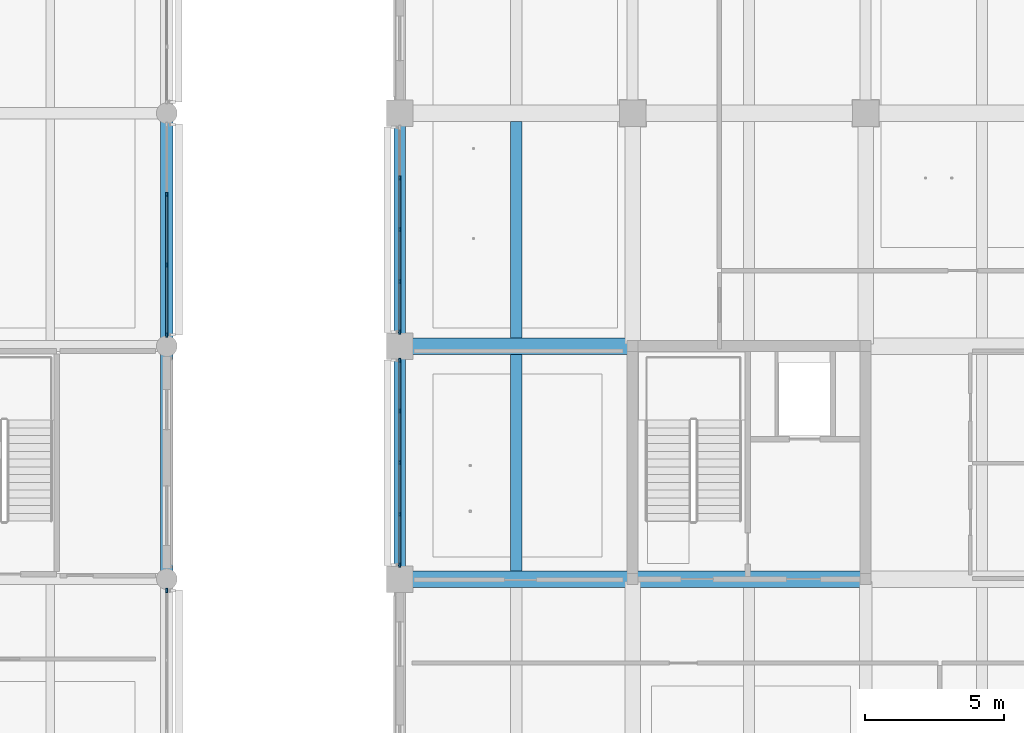
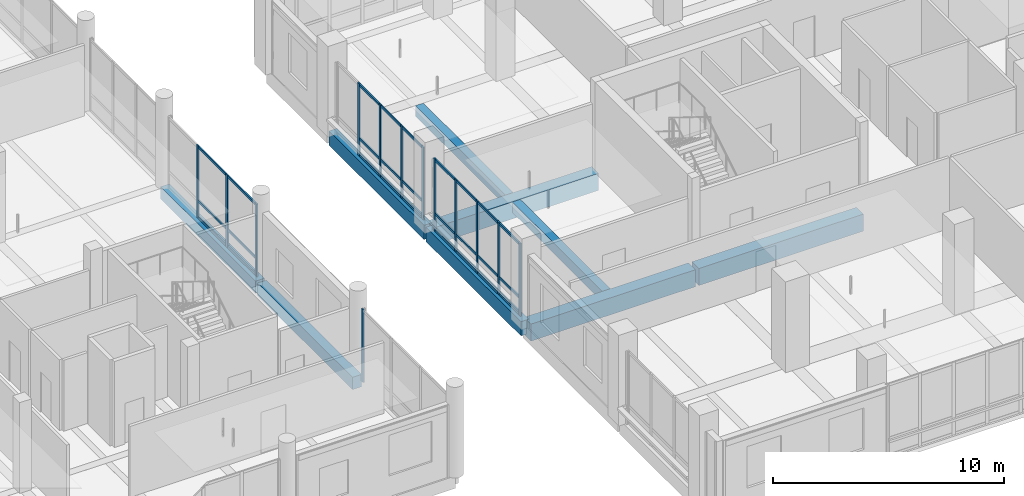
# One storey, part 8 of 122: 40 members, 9 beams, 4 elements without a shape of their own.
"""IFC4 building model written with IfcOpenShell, lengths in metres."""

from ifc_helpers import new_model, si_unit, direction, frame, origin, origin_2d, place, context, subcontext, project, spatial, rectangle, extrude, material, layer, layer_set, material_profile, profile_set, type_object, element, aggregate, save


model = new_model("IFC4")

# Units and contexts
model_context = context("Model", 3, precision=1e-05, world=origin(), true_north=direction((0.0, 1.0)))
body_context = subcontext(model_context, "Body", "Model", "MODEL_VIEW")
ifc_project = project(units=[si_unit("LENGTHUNIT", "METRE"), si_unit("AREAUNIT", "SQUARE_METRE"), si_unit("VOLUMEUNIT", "CUBIC_METRE"), si_unit("PLANEANGLEUNIT", "RADIAN"), si_unit("MASSUNIT", "GRAM", prefix="KILO")], contexts=[model_context])

# Site, building, storey
site_placement = place(None, origin())
site = spatial("IfcSite", under=ifc_project, at=site_placement, CompositionType="ELEMENT")
building_placement = place(site_placement, origin())
building = spatial("IfcBuilding", under=site, at=building_placement, Name="Telukmera Botanical Conservatory", CompositionType="ELEMENT")
storey_placement = place(building_placement, frame((0.0, 0.0, 10.199951171875)))
storey = spatial("IfcBuildingStorey", under=building, at=storey_placement, Name="L02", CompositionType="ELEMENT", Elevation=10.199951171875)

# Beams
ifc_material_1 = material(Name="Concrete C40/50", Category="concrete")
ifc_material_profile_1 = material_profile(ifc_material_1, rectangle(XDim=0.449951171875, YDim=0.64990234375, at=origin_2d()), Name="RC 450x650")
ifc_profile_set_1 = profile_set([ifc_material_profile_1], Name="Concrete C40/50")
beam_type_1 = type_object("IfcBeamType", Name="Beam_B16", PredefinedType="BEAM", material=ifc_profile_set_1)
for number, where, z_axis, x_axis, name in (
    (1, (42.0, 26.080078125, -0.324951171875), (0.0, 1.0, 0.0), (-1.0, 0.0, 0.0), "Visitor Wing Transverse Beam L02"),
    (2, (42.0, 34.47998046875, -0.324951171875), (0.0, 1.0, 0.0), (-1.0, 0.0, 0.0), "Visitor Wing Transverse Beam L02"),
):
    element("IfcBeam", number, at=place(storey_placement, frame(where, z_axis=z_axis, x_axis=x_axis)), inside=storey, type_object=beam_type_1, Name=name, PredefinedType="BEAM", context=body_context, shape_type="SweptSolid", body=[
        extrude(rectangle(XDim=0.449951171875, YDim=0.64990234375, at=origin_2d()), origin(), (0.0, 0.0, 1.0), 8.239990234375),
    ])
ifc_material_profile_2 = material_profile(ifc_material_1, rectangle(XDim=0.39990234375, YDim=0.550048828125, at=origin_2d()), Name="RC 400x550")
ifc_profile_set_2 = profile_set([ifc_material_profile_2], Name="Concrete C40/50")
beam_type_2 = type_object("IfcBeamType", Name="Beam_B19", PredefinedType="JOIST", material=ifc_profile_set_2)
for number, where, z_axis, x_axis, name in (
    (3, (54.60009765625, 26.300048828125, -0.27490234375), (0.0, 1.0, 0.0), (-1.0, 0.0, 0.0), "Tower Secondary Floor Joist L02"),
    (4, (54.60009765625, 34.699951171875, -0.27490234375), (0.0, 1.0, 0.0), (-1.0, 0.0, 0.0), "Tower Secondary Floor Joist L02"),
):
    element("IfcBeam", number, at=place(storey_placement, frame(where, z_axis=z_axis, x_axis=x_axis)), inside=storey, type_object=beam_type_2, Name=name, PredefinedType="JOIST", context=body_context, shape_type="SweptSolid", body=[
        extrude(rectangle(XDim=0.39990234375, YDim=0.550048828125, at=origin_2d()), origin(), (0.0, 0.0, 1.0), 7.800048828125),
    ])
ifc_material_profile_3 = material_profile(ifc_material_1, rectangle(XDim=0.60009765625, YDim=0.89990234375, at=origin_2d()), Name="RC 600x900")
ifc_profile_set_3 = profile_set([ifc_material_profile_3], Name="Concrete C40/50")
beam_type_3 = type_object("IfcBeamType", Name="Beam_B3", PredefinedType="BEAM", material=ifc_profile_set_3)
beam_1_placement = place(storey_placement, frame((50.47998046875, 26.0, -0.449951171875), z_axis=(1.0, 0.0, 0.0), x_axis=(0.0, 1.0, 0.0)))
element("IfcBeam", 5, at=beam_1_placement, inside=storey, type_object=beam_type_3, Name="Tower Grid Beam L02", PredefinedType="BEAM", context=body_context, shape_type="SweptSolid", body=[
    extrude(rectangle(XDim=0.60009765625, YDim=0.89990234375, at=origin_2d()), origin(), (0.0, 0.0, 1.0), 8.239990234375),
])
beam_2_placement = place(storey_placement, frame((58.8798828125, 26.0, -0.449951171875), z_axis=(1.0, 0.0, 0.0), x_axis=(0.0, 1.0, 0.0)))
element("IfcBeam", 6, at=beam_2_placement, inside=storey, type_object=beam_type_3, Name="Tower Grid Beam L02", PredefinedType="BEAM", context=body_context, shape_type="SweptSolid", body=[
    extrude(rectangle(XDim=0.60009765625, YDim=0.89990234375, at=origin_2d()), origin(), (0.0, 0.0, 1.0), 8.240234375),
])
beam_3_placement = place(storey_placement, frame((50.47998046875, 34.39990234375, -0.449951171875), z_axis=(1.0, 0.0, 0.0), x_axis=(0.0, 1.0, 0.0)))
element("IfcBeam", 7, at=beam_3_placement, inside=storey, type_object=beam_type_3, Name="Tower Grid Beam L02", PredefinedType="BEAM", context=body_context, shape_type="SweptSolid", body=[
    extrude(rectangle(XDim=0.60009765625, YDim=0.89990234375, at=origin_2d()), origin(), (0.0, 0.0, 1.0), 8.239990234375),
])
ifc_material_2 = material(Name="Precast concrete C40/50", Category="concrete")
ifc_material_profile_4 = material_profile(ifc_material_2, rectangle(XDim=0.39990234375, YDim=0.75, at=origin_2d()), Name="PC 400x750")
ifc_profile_set_4 = profile_set([ifc_material_profile_4], Name="Precast concrete C40/50")
beam_type_4 = type_object("IfcBeamType", Name="Beam_SP1", PredefinedType="SPANDREL", material=ifc_profile_set_4)
for number, where, z_axis, x_axis, name in (
    (8, (50.39990234375, 26.080078125, -0.375), (0.0, 1.0, 0.0), (-1.0, 0.0, 0.0), "Tower Transverse Beam L02"),
    (9, (50.39990234375, 34.47998046875, -0.375), (0.0, 1.0, 0.0), (-1.0, 0.0, 0.0), "Tower Transverse Beam L02"),
):
    element("IfcBeam", number, at=place(storey_placement, frame(where, z_axis=z_axis, x_axis=x_axis)), inside=storey, type_object=beam_type_4, Name=name, PredefinedType="SPANDREL", context=body_context, shape_type="SweptSolid", body=[
        extrude(rectangle(XDim=0.39990234375, YDim=0.75, at=origin_2d()), origin(), (0.0, 0.0, 1.0), 8.239990234375),
    ])

# Curtain wall, member
ifc_material_3 = material(Name="Anodised aluminium 6063-T6", Category="aluminium")
ifc_layer_1 = layer(ifc_material_3, 0.179931640625)
ifc_layer_set_1 = layer_set([ifc_layer_1], Name="Anodised aluminium 6063-T6")
curtain_wall_type_1 = type_object("IfcCurtainWallType", Name="Visitor Gallery Second Floor Curtain Wall 2400 Mod", PredefinedType="USERDEFINED", material=ifc_layer_set_1)
curtain_wall_1_placement = place(storey_placement, origin())
curtain_wall_1 = element("IfcCurtainWall", 10, at=curtain_wall_1_placement, inside=storey, type_object=curtain_wall_type_1, Name="Unitised Curtain Wall CW09 V3:L02:E1", ObjectType="UNITISED CURTAIN WALL", PredefinedType="USERDEFINED")
ifc_material_profile_5 = material_profile(ifc_material_3, rectangle(XDim=0.06494140625, YDim=0.159912109375, at=origin_2d()), Name="ALU MULL 65x160")
ifc_profile_set_5 = profile_set([ifc_material_profile_5], Name="Anodised aluminium 6063-T6")
member_type_1 = type_object("IfcMemberType", Name="Curtain Wall Extruded Mullion 65x160", PredefinedType="MULLION", material=ifc_profile_set_5)
member_1_placement = place(storey_placement, frame((42.0, 25.590576171875, 0.0), z_axis=(0.0, 0.0, 1.0), x_axis=(-1.0, 0.0, 0.0)))
member_1 = element("IfcMember", 11, at=member_1_placement, type_object=member_type_1, Name="CW09 mullion 4", PredefinedType="MULLION", context=body_context, shape_type="SweptSolid", body=[
    extrude(rectangle(XDim=0.06494140625, YDim=0.159912109375, at=origin_2d()), origin(), (0.0, 0.0, 1.0), 3.85009765625),
])
aggregate(curtain_wall_1, [member_1])

# Curtain wall, members
curtain_wall_2_placement = place(storey_placement, origin())
curtain_wall_2 = element("IfcCurtainWall", 12, at=curtain_wall_2_placement, inside=storey, type_object=curtain_wall_type_1, Name="Unitised Curtain Wall CW09 V3:L02:E3", ObjectType="UNITISED CURTAIN WALL", PredefinedType="USERDEFINED")
member_2_placement = place(storey_placement, frame((42.0, 34.8095703125, 0.0), z_axis=(0.0, 0.0, 1.0), x_axis=(-1.0, 0.0, 0.0)))
member_2 = element("IfcMember", 13, at=member_2_placement, type_object=member_type_1, Name="CW09 mullion 1", PredefinedType="MULLION", context=body_context, shape_type="SweptSolid", body=[
    extrude(rectangle(XDim=0.06494140625, YDim=0.159912109375, at=origin_2d()), origin(), (0.0, 0.0, 1.0), 3.85009765625),
])
member_3_placement = place(storey_placement, frame((42.0, 37.32568359375, 0.0), z_axis=(0.0, 0.0, 1.0), x_axis=(-1.0, 0.0, 0.0)))
member_3 = element("IfcMember", 14, at=member_3_placement, type_object=member_type_1, Name="CW09 mullion 2", PredefinedType="MULLION", context=body_context, shape_type="SweptSolid", body=[
    extrude(rectangle(XDim=0.06494140625, YDim=0.159912109375, at=origin_2d()), origin(), (0.0, 0.0, 1.0), 3.85009765625),
])
member_4_placement = place(storey_placement, frame((42.0, 39.874267578125, 0.0), z_axis=(0.0, 0.0, 1.0), x_axis=(-1.0, 0.0, 0.0)))
member_4 = element("IfcMember", 15, at=member_4_placement, type_object=member_type_1, Name="CW09 mullion 3", PredefinedType="MULLION", context=body_context, shape_type="SweptSolid", body=[
    extrude(rectangle(XDim=0.06494140625, YDim=0.159912109375, at=origin_2d()), origin(), (0.0, 0.0, 1.0), 3.85009765625),
])

ifc_layer_2 = layer(ifc_material_3, 0.179931640625)
ifc_layer_set_2 = layer_set([ifc_layer_2], Name="Anodised aluminium 6063-T6")
curtain_wall_type_2 = type_object("IfcCurtainWallType", Name="Tower Reference Library Curtain Wall", PredefinedType="USERDEFINED", material=ifc_layer_set_2)
curtain_wall_3_placement = place(storey_placement, origin())
curtain_wall_3 = element("IfcCurtainWall", 16, at=curtain_wall_3_placement, inside=storey, type_object=curtain_wall_type_2, Name="Unitised Curtain Wall CW13 V4:L02:W3", ObjectType="UNITISED CURTAIN WALL", PredefinedType="USERDEFINED")
member_5_placement = place(storey_placement, frame((50.39990234375, 26.509521484375, 0.0), z_axis=(0.0, 0.0, 1.0), x_axis=(-1.0, 0.0, 0.0)))
member_5 = element("IfcMember", 17, at=member_5_placement, type_object=member_type_1, Name="CW13 mullion 1", PredefinedType="MULLION", context=body_context, shape_type="SweptSolid", body=[
    extrude(rectangle(XDim=0.06494140625, YDim=0.159912109375, at=origin_2d()), origin(), (0.0, 0.0, 1.0), 3.85009765625),
])
member_6_placement = place(storey_placement, frame((50.39990234375, 28.33837890625, 0.0), z_axis=(0.0, 0.0, 1.0), x_axis=(-1.0, 0.0, 0.0)))
member_6 = element("IfcMember", 18, at=member_6_placement, type_object=member_type_1, Name="CW13 mullion 2", PredefinedType="MULLION", context=body_context, shape_type="SweptSolid", body=[
    extrude(rectangle(XDim=0.06494140625, YDim=0.159912109375, at=origin_2d()), origin(), (0.0, 0.0, 1.0), 3.85009765625),
])
member_7_placement = place(storey_placement, frame((50.39990234375, 30.199951171875, 0.0), z_axis=(0.0, 0.0, 1.0), x_axis=(-1.0, 0.0, 0.0)))
member_7 = element("IfcMember", 19, at=member_7_placement, type_object=member_type_1, Name="CW13 mullion 3", PredefinedType="MULLION", context=body_context, shape_type="SweptSolid", body=[
    extrude(rectangle(XDim=0.06494140625, YDim=0.159912109375, at=origin_2d()), origin(), (0.0, 0.0, 1.0), 3.85009765625),
])
member_8_placement = place(storey_placement, frame((50.39990234375, 32.0615234375, 0.0), z_axis=(0.0, 0.0, 1.0), x_axis=(-1.0, 0.0, 0.0)))
member_8 = element("IfcMember", 20, at=member_8_placement, type_object=member_type_1, Name="CW13 mullion 4", PredefinedType="MULLION", context=body_context, shape_type="SweptSolid", body=[
    extrude(rectangle(XDim=0.06494140625, YDim=0.159912109375, at=origin_2d()), origin(), (0.0, 0.0, 1.0), 3.85009765625),
])
member_9_placement = place(storey_placement, frame((50.39990234375, 33.890380859375, 0.0), z_axis=(0.0, 0.0, 1.0), x_axis=(-1.0, 0.0, 0.0)))
member_9 = element("IfcMember", 21, at=member_9_placement, type_object=member_type_1, Name="CW13 mullion 5", PredefinedType="MULLION", context=body_context, shape_type="SweptSolid", body=[
    extrude(rectangle(XDim=0.06494140625, YDim=0.159912109375, at=origin_2d()), origin(), (0.0, 0.0, 1.0), 3.85009765625),
])

curtain_wall_4_placement = place(storey_placement, origin())
curtain_wall_4 = element("IfcCurtainWall", 22, at=curtain_wall_4_placement, inside=storey, type_object=curtain_wall_type_2, Name="Unitised Curtain Wall CW13 V4:L02:W4", ObjectType="UNITISED CURTAIN WALL", PredefinedType="USERDEFINED")
member_10_placement = place(storey_placement, frame((50.39990234375, 34.909423828125, 0.0), z_axis=(0.0, 0.0, 1.0), x_axis=(-1.0, 0.0, 0.0)))
member_10 = element("IfcMember", 23, at=member_10_placement, type_object=member_type_1, Name="CW13 mullion 1", PredefinedType="MULLION", context=body_context, shape_type="SweptSolid", body=[
    extrude(rectangle(XDim=0.06494140625, YDim=0.159912109375, at=origin_2d()), origin(), (0.0, 0.0, 1.0), 3.85009765625),
])
member_11_placement = place(storey_placement, frame((50.39990234375, 36.738525390625, 0.0), z_axis=(0.0, 0.0, 1.0), x_axis=(-1.0, 0.0, 0.0)))
member_11 = element("IfcMember", 24, at=member_11_placement, type_object=member_type_1, Name="CW13 mullion 2", PredefinedType="MULLION", context=body_context, shape_type="SweptSolid", body=[
    extrude(rectangle(XDim=0.06494140625, YDim=0.159912109375, at=origin_2d()), origin(), (0.0, 0.0, 1.0), 3.85009765625),
])
member_12_placement = place(storey_placement, frame((50.39990234375, 38.60009765625, 0.0), z_axis=(0.0, 0.0, 1.0), x_axis=(-1.0, 0.0, 0.0)))
member_12 = element("IfcMember", 25, at=member_12_placement, type_object=member_type_1, Name="CW13 mullion 3", PredefinedType="MULLION", context=body_context, shape_type="SweptSolid", body=[
    extrude(rectangle(XDim=0.06494140625, YDim=0.159912109375, at=origin_2d()), origin(), (0.0, 0.0, 1.0), 3.85009765625),
])
member_13_placement = place(storey_placement, frame((50.39990234375, 40.46142578125, 0.0), z_axis=(0.0, 0.0, 1.0), x_axis=(-1.0, 0.0, 0.0)))
member_13 = element("IfcMember", 26, at=member_13_placement, type_object=member_type_1, Name="CW13 mullion 4", PredefinedType="MULLION", context=body_context, shape_type="SweptSolid", body=[
    extrude(rectangle(XDim=0.06494140625, YDim=0.159912109375, at=origin_2d()), origin(), (0.0, 0.0, 1.0), 3.85009765625),
])

# Member
ifc_material_profile_6 = material_profile(ifc_material_3, rectangle(XDim=0.06494140625, YDim=0.1298828125, at=origin_2d()), Name="ALU TRAN 65x130")
ifc_profile_set_6 = profile_set([ifc_material_profile_6], Name="Anodised aluminium 6063-T6")
member_type_2 = type_object("IfcMemberType", Name="Curtain Wall Extruded Transom 65x130", PredefinedType="USERDEFINED", material=ifc_profile_set_6)
member_14_placement = place(storey_placement, frame((42.0, 34.842041015625, 0.06494140625), z_axis=(0.0, 1.0, 0.0), x_axis=(-1.0, 0.0, 0.0)))
member_14 = element("IfcMember", 27, at=member_14_placement, type_object=member_type_2, Name="CW09 transom 1.1", ObjectType="TRANSOM", PredefinedType="USERDEFINED", context=body_context, shape_type="SweptSolid", body=[
    extrude(rectangle(XDim=0.06494140625, YDim=0.1298828125, at=origin_2d()), origin(), (0.0, 0.0, 1.0), 2.451171875),
])

member_15_placement = place(storey_placement, frame((42.0, 34.842041015625, 0.949951171875), z_axis=(0.0, 1.0, 0.0), x_axis=(-1.0, 0.0, 0.0)))
member_15 = element("IfcMember", 28, at=member_15_placement, type_object=member_type_2, Name="CW09 transom 1.2", ObjectType="TRANSOM", PredefinedType="USERDEFINED", context=body_context, shape_type="SweptSolid", body=[
    extrude(rectangle(XDim=0.06494140625, YDim=0.1298828125, at=origin_2d()), origin(), (0.0, 0.0, 1.0), 2.451171875),
])

member_16_placement = place(storey_placement, frame((42.0, 34.842041015625, 3.78515625), z_axis=(0.0, 1.0, 0.0), x_axis=(-1.0, 0.0, 0.0)))
member_16 = element("IfcMember", 29, at=member_16_placement, type_object=member_type_2, Name="CW09 transom 1.3", ObjectType="TRANSOM", PredefinedType="USERDEFINED", context=body_context, shape_type="SweptSolid", body=[
    extrude(rectangle(XDim=0.06494140625, YDim=0.1298828125, at=origin_2d()), origin(), (0.0, 0.0, 1.0), 2.451171875),
])

member_17_placement = place(storey_placement, frame((42.0, 37.358154296875, 0.06494140625), z_axis=(0.0, 1.0, 0.0), x_axis=(-1.0, 0.0, 0.0)))
member_17 = element("IfcMember", 30, at=member_17_placement, type_object=member_type_2, Name="CW09 transom 2.1", ObjectType="TRANSOM", PredefinedType="USERDEFINED", context=body_context, shape_type="SweptSolid", body=[
    extrude(rectangle(XDim=0.06494140625, YDim=0.1298828125, at=origin_2d()), origin(), (0.0, 0.0, 1.0), 2.483642578125),
])

member_18_placement = place(storey_placement, frame((42.0, 37.358154296875, 0.949951171875), z_axis=(0.0, 1.0, 0.0), x_axis=(-1.0, 0.0, 0.0)))
member_18 = element("IfcMember", 31, at=member_18_placement, type_object=member_type_2, Name="CW09 transom 2.2", ObjectType="TRANSOM", PredefinedType="USERDEFINED", context=body_context, shape_type="SweptSolid", body=[
    extrude(rectangle(XDim=0.06494140625, YDim=0.1298828125, at=origin_2d()), origin(), (0.0, 0.0, 1.0), 2.483642578125),
])

member_19_placement = place(storey_placement, frame((42.0, 37.358154296875, 3.78515625), z_axis=(0.0, 1.0, 0.0), x_axis=(-1.0, 0.0, 0.0)))
member_19 = element("IfcMember", 32, at=member_19_placement, type_object=member_type_2, Name="CW09 transom 2.3", ObjectType="TRANSOM", PredefinedType="USERDEFINED", context=body_context, shape_type="SweptSolid", body=[
    extrude(rectangle(XDim=0.06494140625, YDim=0.1298828125, at=origin_2d()), origin(), (0.0, 0.0, 1.0), 2.483642578125),
])

aggregate(curtain_wall_2, [member_2, member_3, member_4, member_14, member_15, member_16, member_17, member_18, member_19])

member_20_placement = place(storey_placement, frame((50.39990234375, 26.5419921875, 0.06494140625), z_axis=(0.0, 1.0, 0.0), x_axis=(-1.0, 0.0, 0.0)))
member_20 = element("IfcMember", 33, at=member_20_placement, type_object=member_type_2, Name="CW13 transom 1.1", ObjectType="TRANSOM", PredefinedType="USERDEFINED", context=body_context, shape_type="SweptSolid", body=[
    extrude(rectangle(XDim=0.06494140625, YDim=0.1298828125, at=origin_2d()), origin(), (0.0, 0.0, 1.0), 1.763916015625),
])

member_21_placement = place(storey_placement, frame((50.39990234375, 26.5419921875, 0.949951171875), z_axis=(0.0, 1.0, 0.0), x_axis=(-1.0, 0.0, 0.0)))
member_21 = element("IfcMember", 34, at=member_21_placement, type_object=member_type_2, Name="CW13 transom 1.2", ObjectType="TRANSOM", PredefinedType="USERDEFINED", context=body_context, shape_type="SweptSolid", body=[
    extrude(rectangle(XDim=0.06494140625, YDim=0.1298828125, at=origin_2d()), origin(), (0.0, 0.0, 1.0), 1.763916015625),
])

member_22_placement = place(storey_placement, frame((50.39990234375, 26.5419921875, 3.78515625), z_axis=(0.0, 1.0, 0.0), x_axis=(-1.0, 0.0, 0.0)))
member_22 = element("IfcMember", 35, at=member_22_placement, type_object=member_type_2, Name="CW13 transom 1.3", ObjectType="TRANSOM", PredefinedType="USERDEFINED", context=body_context, shape_type="SweptSolid", body=[
    extrude(rectangle(XDim=0.06494140625, YDim=0.1298828125, at=origin_2d()), origin(), (0.0, 0.0, 1.0), 1.763916015625),
])

member_23_placement = place(storey_placement, frame((50.39990234375, 28.37109375, 0.06494140625), z_axis=(0.0, 1.0, 0.0), x_axis=(-1.0, 0.0, 0.0)))
member_23 = element("IfcMember", 36, at=member_23_placement, type_object=member_type_2, Name="CW13 transom 2.1", ObjectType="TRANSOM", PredefinedType="USERDEFINED", context=body_context, shape_type="SweptSolid", body=[
    extrude(rectangle(XDim=0.06494140625, YDim=0.1298828125, at=origin_2d()), origin(), (0.0, 0.0, 1.0), 1.79638671875),
])

member_24_placement = place(storey_placement, frame((50.39990234375, 28.37109375, 0.949951171875), z_axis=(0.0, 1.0, 0.0), x_axis=(-1.0, 0.0, 0.0)))
member_24 = element("IfcMember", 37, at=member_24_placement, type_object=member_type_2, Name="CW13 transom 2.2", ObjectType="TRANSOM", PredefinedType="USERDEFINED", context=body_context, shape_type="SweptSolid", body=[
    extrude(rectangle(XDim=0.06494140625, YDim=0.1298828125, at=origin_2d()), origin(), (0.0, 0.0, 1.0), 1.79638671875),
])

member_25_placement = place(storey_placement, frame((50.39990234375, 28.37109375, 3.78515625), z_axis=(0.0, 1.0, 0.0), x_axis=(-1.0, 0.0, 0.0)))
member_25 = element("IfcMember", 38, at=member_25_placement, type_object=member_type_2, Name="CW13 transom 2.3", ObjectType="TRANSOM", PredefinedType="USERDEFINED", context=body_context, shape_type="SweptSolid", body=[
    extrude(rectangle(XDim=0.06494140625, YDim=0.1298828125, at=origin_2d()), origin(), (0.0, 0.0, 1.0), 1.79638671875),
])

member_26_placement = place(storey_placement, frame((50.39990234375, 30.232421875, 0.06494140625), z_axis=(0.0, 1.0, 0.0), x_axis=(-1.0, 0.0, 0.0)))
member_26 = element("IfcMember", 39, at=member_26_placement, type_object=member_type_2, Name="CW13 transom 3.1", ObjectType="TRANSOM", PredefinedType="USERDEFINED", context=body_context, shape_type="SweptSolid", body=[
    extrude(rectangle(XDim=0.06494140625, YDim=0.1298828125, at=origin_2d()), origin(), (0.0, 0.0, 1.0), 1.796630859375),
])

member_27_placement = place(storey_placement, frame((50.39990234375, 30.232421875, 0.949951171875), z_axis=(0.0, 1.0, 0.0), x_axis=(-1.0, 0.0, 0.0)))
member_27 = element("IfcMember", 40, at=member_27_placement, type_object=member_type_2, Name="CW13 transom 3.2", ObjectType="TRANSOM", PredefinedType="USERDEFINED", context=body_context, shape_type="SweptSolid", body=[
    extrude(rectangle(XDim=0.06494140625, YDim=0.1298828125, at=origin_2d()), origin(), (0.0, 0.0, 1.0), 1.796630859375),
])

member_28_placement = place(storey_placement, frame((50.39990234375, 30.232421875, 3.78515625), z_axis=(0.0, 1.0, 0.0), x_axis=(-1.0, 0.0, 0.0)))
member_28 = element("IfcMember", 41, at=member_28_placement, type_object=member_type_2, Name="CW13 transom 3.3", ObjectType="TRANSOM", PredefinedType="USERDEFINED", context=body_context, shape_type="SweptSolid", body=[
    extrude(rectangle(XDim=0.06494140625, YDim=0.1298828125, at=origin_2d()), origin(), (0.0, 0.0, 1.0), 1.796630859375),
])

member_29_placement = place(storey_placement, frame((50.39990234375, 32.093994140625, 0.06494140625), z_axis=(0.0, 1.0, 0.0), x_axis=(-1.0, 0.0, 0.0)))
member_29 = element("IfcMember", 42, at=member_29_placement, type_object=member_type_2, Name="CW13 transom 4.1", ObjectType="TRANSOM", PredefinedType="USERDEFINED", context=body_context, shape_type="SweptSolid", body=[
    extrude(rectangle(XDim=0.06494140625, YDim=0.1298828125, at=origin_2d()), origin(), (0.0, 0.0, 1.0), 1.763916015625),
])

member_30_placement = place(storey_placement, frame((50.39990234375, 32.093994140625, 0.949951171875), z_axis=(0.0, 1.0, 0.0), x_axis=(-1.0, 0.0, 0.0)))
member_30 = element("IfcMember", 43, at=member_30_placement, type_object=member_type_2, Name="CW13 transom 4.2", ObjectType="TRANSOM", PredefinedType="USERDEFINED", context=body_context, shape_type="SweptSolid", body=[
    extrude(rectangle(XDim=0.06494140625, YDim=0.1298828125, at=origin_2d()), origin(), (0.0, 0.0, 1.0), 1.763916015625),
])

member_31_placement = place(storey_placement, frame((50.39990234375, 32.093994140625, 3.78515625), z_axis=(0.0, 1.0, 0.0), x_axis=(-1.0, 0.0, 0.0)))
member_31 = element("IfcMember", 44, at=member_31_placement, type_object=member_type_2, Name="CW13 transom 4.3", ObjectType="TRANSOM", PredefinedType="USERDEFINED", context=body_context, shape_type="SweptSolid", body=[
    extrude(rectangle(XDim=0.06494140625, YDim=0.1298828125, at=origin_2d()), origin(), (0.0, 0.0, 1.0), 1.763916015625),
])

aggregate(curtain_wall_3, [member_5, member_6, member_7, member_8, member_9, member_20, member_21, member_22, member_23, member_24, member_25, member_26, member_27, member_28, member_29, member_30, member_31])

member_32_placement = place(storey_placement, frame((50.39990234375, 34.94189453125, 0.06494140625), z_axis=(0.0, 1.0, 0.0), x_axis=(-1.0, 0.0, 0.0)))
member_32 = element("IfcMember", 45, at=member_32_placement, type_object=member_type_2, Name="CW13 transom 1.1", ObjectType="TRANSOM", PredefinedType="USERDEFINED", context=body_context, shape_type="SweptSolid", body=[
    extrude(rectangle(XDim=0.06494140625, YDim=0.1298828125, at=origin_2d()), origin(), (0.0, 0.0, 1.0), 1.76416015625),
])

member_33_placement = place(storey_placement, frame((50.39990234375, 34.94189453125, 0.949951171875), z_axis=(0.0, 1.0, 0.0), x_axis=(-1.0, 0.0, 0.0)))
member_33 = element("IfcMember", 46, at=member_33_placement, type_object=member_type_2, Name="CW13 transom 1.2", ObjectType="TRANSOM", PredefinedType="USERDEFINED", context=body_context, shape_type="SweptSolid", body=[
    extrude(rectangle(XDim=0.06494140625, YDim=0.1298828125, at=origin_2d()), origin(), (0.0, 0.0, 1.0), 1.76416015625),
])

member_34_placement = place(storey_placement, frame((50.39990234375, 34.94189453125, 3.78515625), z_axis=(0.0, 1.0, 0.0), x_axis=(-1.0, 0.0, 0.0)))
member_34 = element("IfcMember", 47, at=member_34_placement, type_object=member_type_2, Name="CW13 transom 1.3", ObjectType="TRANSOM", PredefinedType="USERDEFINED", context=body_context, shape_type="SweptSolid", body=[
    extrude(rectangle(XDim=0.06494140625, YDim=0.1298828125, at=origin_2d()), origin(), (0.0, 0.0, 1.0), 1.76416015625),
])

member_35_placement = place(storey_placement, frame((50.39990234375, 36.77099609375, 0.06494140625), z_axis=(0.0, 1.0, 0.0), x_axis=(-1.0, 0.0, 0.0)))
member_35 = element("IfcMember", 48, at=member_35_placement, type_object=member_type_2, Name="CW13 transom 2.1", ObjectType="TRANSOM", PredefinedType="USERDEFINED", context=body_context, shape_type="SweptSolid", body=[
    extrude(rectangle(XDim=0.06494140625, YDim=0.1298828125, at=origin_2d()), origin(), (0.0, 0.0, 1.0), 1.79638671875),
])

member_36_placement = place(storey_placement, frame((50.39990234375, 36.77099609375, 0.949951171875), z_axis=(0.0, 1.0, 0.0), x_axis=(-1.0, 0.0, 0.0)))
member_36 = element("IfcMember", 49, at=member_36_placement, type_object=member_type_2, Name="CW13 transom 2.2", ObjectType="TRANSOM", PredefinedType="USERDEFINED", context=body_context, shape_type="SweptSolid", body=[
    extrude(rectangle(XDim=0.06494140625, YDim=0.1298828125, at=origin_2d()), origin(), (0.0, 0.0, 1.0), 1.79638671875),
])

member_37_placement = place(storey_placement, frame((50.39990234375, 36.77099609375, 3.78515625), z_axis=(0.0, 1.0, 0.0), x_axis=(-1.0, 0.0, 0.0)))
member_37 = element("IfcMember", 50, at=member_37_placement, type_object=member_type_2, Name="CW13 transom 2.3", ObjectType="TRANSOM", PredefinedType="USERDEFINED", context=body_context, shape_type="SweptSolid", body=[
    extrude(rectangle(XDim=0.06494140625, YDim=0.1298828125, at=origin_2d()), origin(), (0.0, 0.0, 1.0), 1.79638671875),
])

member_38_placement = place(storey_placement, frame((50.39990234375, 38.632568359375, 0.06494140625), z_axis=(0.0, 1.0, 0.0), x_axis=(-1.0, 0.0, 0.0)))
member_38 = element("IfcMember", 51, at=member_38_placement, type_object=member_type_2, Name="CW13 transom 3.1", ObjectType="TRANSOM", PredefinedType="USERDEFINED", context=body_context, shape_type="SweptSolid", body=[
    extrude(rectangle(XDim=0.06494140625, YDim=0.1298828125, at=origin_2d()), origin(), (0.0, 0.0, 1.0), 1.79638671875),
])

member_39_placement = place(storey_placement, frame((50.39990234375, 38.632568359375, 0.949951171875), z_axis=(0.0, 1.0, 0.0), x_axis=(-1.0, 0.0, 0.0)))
member_39 = element("IfcMember", 52, at=member_39_placement, type_object=member_type_2, Name="CW13 transom 3.2", ObjectType="TRANSOM", PredefinedType="USERDEFINED", context=body_context, shape_type="SweptSolid", body=[
    extrude(rectangle(XDim=0.06494140625, YDim=0.1298828125, at=origin_2d()), origin(), (0.0, 0.0, 1.0), 1.79638671875),
])

member_40_placement = place(storey_placement, frame((50.39990234375, 38.632568359375, 3.78515625), z_axis=(0.0, 1.0, 0.0), x_axis=(-1.0, 0.0, 0.0)))
member_40 = element("IfcMember", 53, at=member_40_placement, type_object=member_type_2, Name="CW13 transom 3.3", ObjectType="TRANSOM", PredefinedType="USERDEFINED", context=body_context, shape_type="SweptSolid", body=[
    extrude(rectangle(XDim=0.06494140625, YDim=0.1298828125, at=origin_2d()), origin(), (0.0, 0.0, 1.0), 1.79638671875),
])

aggregate(curtain_wall_4, [member_10, member_11, member_12, member_13, member_32, member_33, member_34, member_35, member_36, member_37, member_38, member_39, member_40])

save(model, "model.ifc")
